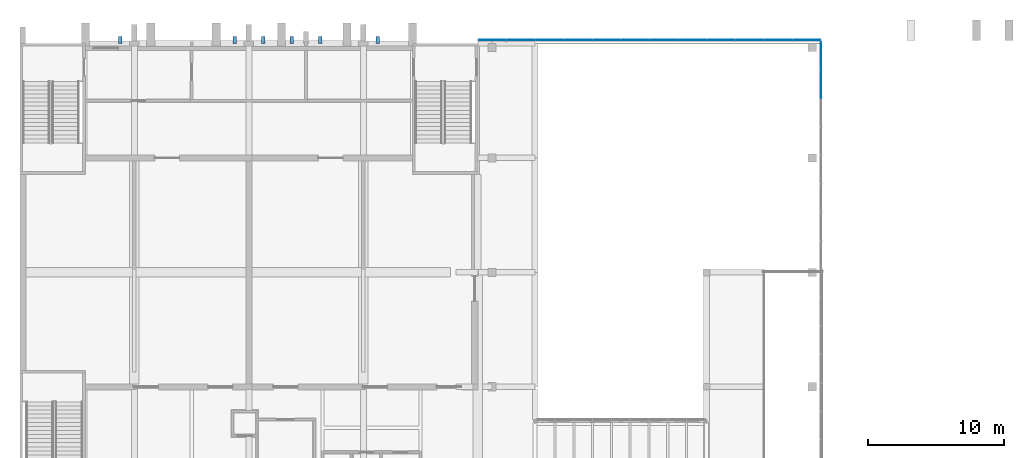
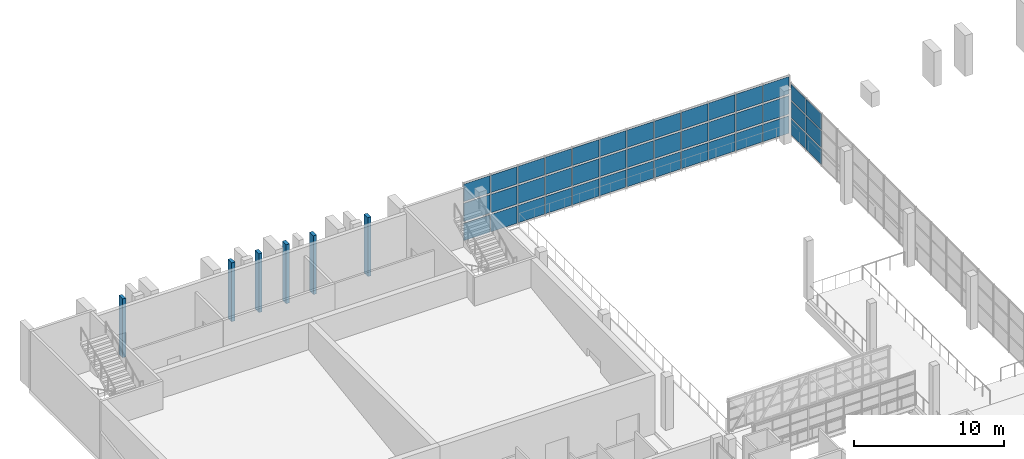
# One storey, part 35 of 67: 48 plates, 2 elements without a shape of their own.
"""IFC4 building model written with IfcOpenShell, lengths in metres."""

from ifc_helpers import new_model, si_unit, direction, frame, origin, origin_2d, place, context, subcontext, project, spatial, rectangle, extrude, material, layer, layer_set, type_object, element, aggregate, save


model = new_model("IFC4")

# Units and contexts
model_context = context("Model", 3, precision=1e-05, world=origin(), true_north=direction((0.0, 1.0)))
body_context = subcontext(model_context, "Body", "Model", "MODEL_VIEW")
ifc_project = project(units=[si_unit("LENGTHUNIT", "METRE"), si_unit("AREAUNIT", "SQUARE_METRE"), si_unit("VOLUMEUNIT", "CUBIC_METRE"), si_unit("PLANEANGLEUNIT", "RADIAN"), si_unit("MASSUNIT", "GRAM", prefix="KILO")], contexts=[model_context])

# Site, building, storey
site_placement = place(None, origin())
site = spatial("IfcSite", under=ifc_project, at=site_placement, CompositionType="ELEMENT")
building_placement = place(site_placement, origin())
building = spatial("IfcBuilding", under=site, at=building_placement, Name="Kiln Court Media Centre", CompositionType="ELEMENT")
storey_placement = place(building_placement, frame((0.0, 0.0, 19.800048828125)))
storey = spatial("IfcBuildingStorey", under=building, at=storey_placement, Name="L04", CompositionType="ELEMENT", Elevation=19.800048828125)

# Plates
ifc_material_1 = material(Name="Concrete C40/50", Category="concrete")
ifc_layer_1 = layer(ifc_material_1, 0.25)
ifc_layer_set_1 = layer_set([ifc_layer_1], Name="Concrete C40/50 shading fin 250")
plate_type_1 = type_object("IfcPlateType", Name="Concrete C40/50 shading fin 250", PredefinedType="SHEET", material=ifc_layer_set_1)
for number, where, z_axis, x_axis, name in (
    (1, (7.35009765625, 67.449951171875, 0.0), (0.0, 0.0, 1.0), (1.0, 0.0, 0.0), "V4 N fin L04"),
    (2, (15.75, 67.449951171875, 0.0), (0.0, 0.0, 1.0), (1.0, 0.0, 0.0), "V4 N fin L04"),
    (3, (17.85009765625, 67.449951171875, 0.0), (0.0, 0.0, 1.0), (1.0, 0.0, 0.0), "V4 N fin L04"),
    (4, (19.949951171875, 67.449951171875, 0.0), (0.0, 0.0, 1.0), (1.0, 0.0, 0.0), "V4 N fin L04"),
    (5, (22.050048828125, 67.449951171875, 0.0), (0.0, 0.0, 1.0), (1.0, 0.0, 0.0), "V4 N fin L04"),
    (6, (26.25, 67.449951171875, 0.0), (0.0, 0.0, 1.0), (1.0, 0.0, 0.0), "V4 N fin L04"),
):
    element("IfcPlate", number, at=place(storey_placement, frame(where, z_axis=z_axis, x_axis=x_axis)), inside=storey, type_object=plate_type_1, Name=name, PredefinedType="SHEET", context=body_context, shape_type="SweptSolid", body=[
        extrude(rectangle(XDim=0.25, YDim=0.5, at=origin_2d()), origin(), (0.0, 0.0, 1.0), 4.800048828125),
    ])

# Curtain wall, plates
ifc_material_2 = material(Name="Aluminium 6063-T6", Category="aluminium")
ifc_layer_2 = layer(ifc_material_2, 0.1201171875)
ifc_layer_set_2 = layer_set([ifc_layer_2], Name="Aluminium stick curtain wall, clerestory")
curtain_wall_type_1 = type_object("IfcCurtainWallType", Name="Aluminium stick curtain wall, clerestory", PredefinedType="USERDEFINED", material=ifc_layer_set_2)
curtain_wall_1_placement = place(storey_placement, origin())
curtain_wall_1 = element("IfcCurtainWall", 7, at=curtain_wall_1_placement, inside=storey, type_object=curtain_wall_type_1, Name="Foyer east clerestory", ObjectType="STICK CURTAIN WALL", PredefinedType="USERDEFINED")
ifc_material_3 = material(Name="Laminated low-E glazing", Category="glass")
ifc_layer_3 = layer(ifc_material_3, 0.031982421875)
ifc_layer_set_3 = layer_set([ifc_layer_3], Name="Laminated low-E glazed panel 32")
plate_type_2 = type_object("IfcPlateType", Name="Laminated low-E glazed panel 32", PredefinedType="CURTAIN_PANEL", material=ifc_layer_set_3)
plate_1_placement = place(storey_placement, frame((58.800048828125, 64.2138671875, 0.119873046875), z_axis=(0.0, 0.0, 1.0), x_axis=(0.0, 1.0, 0.0)))
plate_1 = element("IfcPlate", 8, at=plate_1_placement, type_object=plate_type_2, Name="CW4-63 panel 15.1", PredefinedType="CURTAIN_PANEL", context=body_context, shape_type="SweptSolid", body=[
    extrude(rectangle(XDim=2.027099609375, YDim=0.031982421875, at=origin_2d()), origin(), (0.0, 0.0, 1.0), 1.27001953125),
])
plate_2_placement = place(storey_placement, frame((58.800048828125, 64.2138671875, 1.510009765625), z_axis=(0.0, 0.0, 1.0), x_axis=(0.0, 1.0, 0.0)))
plate_2 = element("IfcPlate", 9, at=plate_2_placement, type_object=plate_type_2, Name="CW4-63 panel 15.2", PredefinedType="CURTAIN_PANEL", context=body_context, shape_type="SweptSolid", body=[
    extrude(rectangle(XDim=2.027099609375, YDim=0.031982421875, at=origin_2d()), origin(), (0.0, 0.0, 1.0), 1.330078125),
])
plate_3_placement = place(storey_placement, frame((58.800048828125, 64.2138671875, 2.9599609375), z_axis=(0.0, 0.0, 1.0), x_axis=(0.0, 1.0, 0.0)))
plate_3 = element("IfcPlate", 10, at=plate_3_placement, type_object=plate_type_2, Name="CW4-63 panel 15.3", PredefinedType="CURTAIN_PANEL", context=body_context, shape_type="SweptSolid", body=[
    extrude(rectangle(XDim=2.027099609375, YDim=0.031982421875, at=origin_2d()), origin(), (0.0, 0.0, 1.0), 1.27001953125),
])
plate_4_placement = place(storey_placement, frame((58.800048828125, 66.285888671875, 0.119873046875), z_axis=(0.0, 0.0, 1.0), x_axis=(0.0, 1.0, 0.0)))
plate_4 = element("IfcPlate", 11, at=plate_4_placement, type_object=plate_type_2, Name="CW4-63 panel 16.1", PredefinedType="CURTAIN_PANEL", context=body_context, shape_type="SweptSolid", body=[
    extrude(rectangle(XDim=1.9970703125, YDim=0.031982421875, at=origin_2d()), origin(), (0.0, 0.0, 1.0), 1.27001953125),
])
plate_5_placement = place(storey_placement, frame((58.800048828125, 66.285888671875, 1.510009765625), z_axis=(0.0, 0.0, 1.0), x_axis=(0.0, 1.0, 0.0)))
plate_5 = element("IfcPlate", 12, at=plate_5_placement, type_object=plate_type_2, Name="CW4-63 panel 16.2", PredefinedType="CURTAIN_PANEL", context=body_context, shape_type="SweptSolid", body=[
    extrude(rectangle(XDim=1.9970703125, YDim=0.031982421875, at=origin_2d()), origin(), (0.0, 0.0, 1.0), 1.330078125),
])
plate_6_placement = place(storey_placement, frame((58.800048828125, 66.285888671875, 2.9599609375), z_axis=(0.0, 0.0, 1.0), x_axis=(0.0, 1.0, 0.0)))
plate_6 = element("IfcPlate", 13, at=plate_6_placement, type_object=plate_type_2, Name="CW4-63 panel 16.3", PredefinedType="CURTAIN_PANEL", context=body_context, shape_type="SweptSolid", body=[
    extrude(rectangle(XDim=1.9970703125, YDim=0.031982421875, at=origin_2d()), origin(), (0.0, 0.0, 1.0), 1.27001953125),
])
aggregate(curtain_wall_1, [plate_1, plate_2, plate_3, plate_4, plate_5, plate_6])

ifc_material_4 = material(Name="Aluminium 6063-T6", Category="aluminium")
ifc_layer_4 = layer(ifc_material_4, 0.1201171875)
ifc_layer_set_4 = layer_set([ifc_layer_4], Name="Aluminium stick curtain wall, foyer")
curtain_wall_type_2 = type_object("IfcCurtainWallType", Name="Aluminium stick curtain wall, foyer", PredefinedType="USERDEFINED", material=ifc_layer_set_4)
curtain_wall_2_placement = place(storey_placement, origin())
curtain_wall_2 = element("IfcCurtainWall", 14, at=curtain_wall_2_placement, inside=storey, type_object=curtain_wall_type_2, Name="Foyer north glazing L04", ObjectType="STICK CURTAIN WALL", PredefinedType="USERDEFINED")
ifc_material_5 = material(Name="Laminated low-E glazing", Category="glass")
ifc_layer_5 = layer(ifc_material_5, 0.035888671875)
ifc_layer_set_5 = layer_set([ifc_layer_5], Name="Laminated low-E glazed panel 36")
plate_type_3 = type_object("IfcPlateType", Name="Laminated low-E glazed panel 36", PredefinedType="CURTAIN_PANEL", material=ifc_layer_set_5)
plate_7_placement = place(storey_placement, frame((34.6650390625, 67.444580078125, 0.14990234375), z_axis=(0.0, 0.0, 1.0), x_axis=(1.0, 0.0, 0.0)))
plate_7 = element("IfcPlate", 15, at=plate_7_placement, type_object=plate_type_3, Name="CW4-60 panel 1.1", PredefinedType="CURTAIN_PANEL", context=body_context, shape_type="SweptSolid", body=[
    extrude(rectangle(XDim=2.010009765625, YDim=0.035888671875, at=origin_2d()), origin(), (0.0, 0.0, 1.0), 1.4111328125),
])
plate_8_placement = place(storey_placement, frame((34.6650390625, 67.444580078125, 1.7109375), z_axis=(0.0, 0.0, 1.0), x_axis=(1.0, 0.0, 0.0)))
plate_8 = element("IfcPlate", 16, at=plate_8_placement, type_object=plate_type_3, Name="CW4-60 panel 1.2", PredefinedType="CURTAIN_PANEL", context=body_context, shape_type="SweptSolid", body=[
    extrude(rectangle(XDim=2.010009765625, YDim=0.035888671875, at=origin_2d()), origin(), (0.0, 0.0, 1.0), 1.486083984375),
])
plate_9_placement = place(storey_placement, frame((34.6650390625, 67.444580078125, 3.34716796875), z_axis=(0.0, 0.0, 1.0), x_axis=(1.0, 0.0, 0.0)))
plate_9 = element("IfcPlate", 17, at=plate_9_placement, type_object=plate_type_3, Name="CW4-60 panel 1.3", PredefinedType="CURTAIN_PANEL", context=body_context, shape_type="SweptSolid", body=[
    extrude(rectangle(XDim=2.010009765625, YDim=0.035888671875, at=origin_2d()), origin(), (0.0, 0.0, 1.0), 1.4111328125),
])
plate_10_placement = place(storey_placement, frame((36.75, 67.444580078125, 0.14990234375), z_axis=(0.0, 0.0, 1.0), x_axis=(1.0, 0.0, 0.0)))
plate_10 = element("IfcPlate", 18, at=plate_10_placement, type_object=plate_type_3, Name="CW4-60 panel 2.1", PredefinedType="CURTAIN_PANEL", context=body_context, shape_type="SweptSolid", body=[
    extrude(rectangle(XDim=2.0400390625, YDim=0.035888671875, at=origin_2d()), origin(), (0.0, 0.0, 1.0), 1.4111328125),
])
plate_11_placement = place(storey_placement, frame((36.75, 67.444580078125, 1.7109375), z_axis=(0.0, 0.0, 1.0), x_axis=(1.0, 0.0, 0.0)))
plate_11 = element("IfcPlate", 19, at=plate_11_placement, type_object=plate_type_3, Name="CW4-60 panel 2.2", PredefinedType="CURTAIN_PANEL", context=body_context, shape_type="SweptSolid", body=[
    extrude(rectangle(XDim=2.0400390625, YDim=0.035888671875, at=origin_2d()), origin(), (0.0, 0.0, 1.0), 1.486083984375),
])
plate_12_placement = place(storey_placement, frame((36.75, 67.444580078125, 3.34716796875), z_axis=(0.0, 0.0, 1.0), x_axis=(1.0, 0.0, 0.0)))
plate_12 = element("IfcPlate", 20, at=plate_12_placement, type_object=plate_type_3, Name="CW4-60 panel 2.3", PredefinedType="CURTAIN_PANEL", context=body_context, shape_type="SweptSolid", body=[
    extrude(rectangle(XDim=2.0400390625, YDim=0.035888671875, at=origin_2d()), origin(), (0.0, 0.0, 1.0), 1.4111328125),
])
plate_13_placement = place(storey_placement, frame((38.85009765625, 67.444580078125, 0.14990234375), z_axis=(0.0, 0.0, 1.0), x_axis=(1.0, 0.0, 0.0)))
plate_13 = element("IfcPlate", 21, at=plate_13_placement, type_object=plate_type_3, Name="CW4-60 panel 3.1", PredefinedType="CURTAIN_PANEL", context=body_context, shape_type="SweptSolid", body=[
    extrude(rectangle(XDim=2.0400390625, YDim=0.035888671875, at=origin_2d()), origin(), (0.0, 0.0, 1.0), 1.4111328125),
])
plate_14_placement = place(storey_placement, frame((38.85009765625, 67.444580078125, 1.7109375), z_axis=(0.0, 0.0, 1.0), x_axis=(1.0, 0.0, 0.0)))
plate_14 = element("IfcPlate", 22, at=plate_14_placement, type_object=plate_type_3, Name="CW4-60 panel 3.2", PredefinedType="CURTAIN_PANEL", context=body_context, shape_type="SweptSolid", body=[
    extrude(rectangle(XDim=2.0400390625, YDim=0.035888671875, at=origin_2d()), origin(), (0.0, 0.0, 1.0), 1.486083984375),
])
plate_15_placement = place(storey_placement, frame((38.85009765625, 67.444580078125, 3.34716796875), z_axis=(0.0, 0.0, 1.0), x_axis=(1.0, 0.0, 0.0)))
plate_15 = element("IfcPlate", 23, at=plate_15_placement, type_object=plate_type_3, Name="CW4-60 panel 3.3", PredefinedType="CURTAIN_PANEL", context=body_context, shape_type="SweptSolid", body=[
    extrude(rectangle(XDim=2.0400390625, YDim=0.035888671875, at=origin_2d()), origin(), (0.0, 0.0, 1.0), 1.4111328125),
])
plate_16_placement = place(storey_placement, frame((40.949951171875, 67.444580078125, 0.14990234375), z_axis=(0.0, 0.0, 1.0), x_axis=(1.0, 0.0, 0.0)))
plate_16 = element("IfcPlate", 24, at=plate_16_placement, type_object=plate_type_3, Name="CW4-60 panel 4.1", PredefinedType="CURTAIN_PANEL", context=body_context, shape_type="SweptSolid", body=[
    extrude(rectangle(XDim=2.0400390625, YDim=0.035888671875, at=origin_2d()), origin(), (0.0, 0.0, 1.0), 1.4111328125),
])
plate_17_placement = place(storey_placement, frame((40.949951171875, 67.444580078125, 1.7109375), z_axis=(0.0, 0.0, 1.0), x_axis=(1.0, 0.0, 0.0)))
plate_17 = element("IfcPlate", 25, at=plate_17_placement, type_object=plate_type_3, Name="CW4-60 panel 4.2", PredefinedType="CURTAIN_PANEL", context=body_context, shape_type="SweptSolid", body=[
    extrude(rectangle(XDim=2.0400390625, YDim=0.035888671875, at=origin_2d()), origin(), (0.0, 0.0, 1.0), 1.486083984375),
])
plate_18_placement = place(storey_placement, frame((40.949951171875, 67.444580078125, 3.34716796875), z_axis=(0.0, 0.0, 1.0), x_axis=(1.0, 0.0, 0.0)))
plate_18 = element("IfcPlate", 26, at=plate_18_placement, type_object=plate_type_3, Name="CW4-60 panel 4.3", PredefinedType="CURTAIN_PANEL", context=body_context, shape_type="SweptSolid", body=[
    extrude(rectangle(XDim=2.0400390625, YDim=0.035888671875, at=origin_2d()), origin(), (0.0, 0.0, 1.0), 1.4111328125),
])
plate_19_placement = place(storey_placement, frame((43.050048828125, 67.444580078125, 0.14990234375), z_axis=(0.0, 0.0, 1.0), x_axis=(1.0, 0.0, 0.0)))
plate_19 = element("IfcPlate", 27, at=plate_19_placement, type_object=plate_type_3, Name="CW4-60 panel 5.1", PredefinedType="CURTAIN_PANEL", context=body_context, shape_type="SweptSolid", body=[
    extrude(rectangle(XDim=2.0400390625, YDim=0.035888671875, at=origin_2d()), origin(), (0.0, 0.0, 1.0), 1.4111328125),
])
plate_20_placement = place(storey_placement, frame((43.050048828125, 67.444580078125, 1.7109375), z_axis=(0.0, 0.0, 1.0), x_axis=(1.0, 0.0, 0.0)))
plate_20 = element("IfcPlate", 28, at=plate_20_placement, type_object=plate_type_3, Name="CW4-60 panel 5.2", PredefinedType="CURTAIN_PANEL", context=body_context, shape_type="SweptSolid", body=[
    extrude(rectangle(XDim=2.0400390625, YDim=0.035888671875, at=origin_2d()), origin(), (0.0, 0.0, 1.0), 1.486083984375),
])
plate_21_placement = place(storey_placement, frame((43.050048828125, 67.444580078125, 3.34716796875), z_axis=(0.0, 0.0, 1.0), x_axis=(1.0, 0.0, 0.0)))
plate_21 = element("IfcPlate", 29, at=plate_21_placement, type_object=plate_type_3, Name="CW4-60 panel 5.3", PredefinedType="CURTAIN_PANEL", context=body_context, shape_type="SweptSolid", body=[
    extrude(rectangle(XDim=2.0400390625, YDim=0.035888671875, at=origin_2d()), origin(), (0.0, 0.0, 1.0), 1.4111328125),
])
plate_22_placement = place(storey_placement, frame((45.14990234375, 67.444580078125, 0.14990234375), z_axis=(0.0, 0.0, 1.0), x_axis=(1.0, 0.0, 0.0)))
plate_22 = element("IfcPlate", 30, at=plate_22_placement, type_object=plate_type_3, Name="CW4-60 panel 6.1", PredefinedType="CURTAIN_PANEL", context=body_context, shape_type="SweptSolid", body=[
    extrude(rectangle(XDim=2.0400390625, YDim=0.035888671875, at=origin_2d()), origin(), (0.0, 0.0, 1.0), 1.4111328125),
])
plate_23_placement = place(storey_placement, frame((45.14990234375, 67.444580078125, 1.7109375), z_axis=(0.0, 0.0, 1.0), x_axis=(1.0, 0.0, 0.0)))
plate_23 = element("IfcPlate", 31, at=plate_23_placement, type_object=plate_type_3, Name="CW4-60 panel 6.2", PredefinedType="CURTAIN_PANEL", context=body_context, shape_type="SweptSolid", body=[
    extrude(rectangle(XDim=2.0400390625, YDim=0.035888671875, at=origin_2d()), origin(), (0.0, 0.0, 1.0), 1.486083984375),
])
plate_24_placement = place(storey_placement, frame((45.14990234375, 67.444580078125, 3.34716796875), z_axis=(0.0, 0.0, 1.0), x_axis=(1.0, 0.0, 0.0)))
plate_24 = element("IfcPlate", 32, at=plate_24_placement, type_object=plate_type_3, Name="CW4-60 panel 6.3", PredefinedType="CURTAIN_PANEL", context=body_context, shape_type="SweptSolid", body=[
    extrude(rectangle(XDim=2.0400390625, YDim=0.035888671875, at=origin_2d()), origin(), (0.0, 0.0, 1.0), 1.4111328125),
])
plate_25_placement = place(storey_placement, frame((47.25, 67.444580078125, 0.14990234375), z_axis=(0.0, 0.0, 1.0), x_axis=(1.0, 0.0, 0.0)))
plate_25 = element("IfcPlate", 33, at=plate_25_placement, type_object=plate_type_3, Name="CW4-60 panel 7.1", PredefinedType="CURTAIN_PANEL", context=body_context, shape_type="SweptSolid", body=[
    extrude(rectangle(XDim=2.0400390625, YDim=0.035888671875, at=origin_2d()), origin(), (0.0, 0.0, 1.0), 1.4111328125),
])
plate_26_placement = place(storey_placement, frame((47.25, 67.444580078125, 1.7109375), z_axis=(0.0, 0.0, 1.0), x_axis=(1.0, 0.0, 0.0)))
plate_26 = element("IfcPlate", 34, at=plate_26_placement, type_object=plate_type_3, Name="CW4-60 panel 7.2", PredefinedType="CURTAIN_PANEL", context=body_context, shape_type="SweptSolid", body=[
    extrude(rectangle(XDim=2.0400390625, YDim=0.035888671875, at=origin_2d()), origin(), (0.0, 0.0, 1.0), 1.486083984375),
])
plate_27_placement = place(storey_placement, frame((47.25, 67.444580078125, 3.34716796875), z_axis=(0.0, 0.0, 1.0), x_axis=(1.0, 0.0, 0.0)))
plate_27 = element("IfcPlate", 35, at=plate_27_placement, type_object=plate_type_3, Name="CW4-60 panel 7.3", PredefinedType="CURTAIN_PANEL", context=body_context, shape_type="SweptSolid", body=[
    extrude(rectangle(XDim=2.0400390625, YDim=0.035888671875, at=origin_2d()), origin(), (0.0, 0.0, 1.0), 1.4111328125),
])
plate_28_placement = place(storey_placement, frame((49.35009765625, 67.444580078125, 0.14990234375), z_axis=(0.0, 0.0, 1.0), x_axis=(1.0, 0.0, 0.0)))
plate_28 = element("IfcPlate", 36, at=plate_28_placement, type_object=plate_type_3, Name="CW4-60 panel 8.1", PredefinedType="CURTAIN_PANEL", context=body_context, shape_type="SweptSolid", body=[
    extrude(rectangle(XDim=2.0400390625, YDim=0.035888671875, at=origin_2d()), origin(), (0.0, 0.0, 1.0), 1.4111328125),
])
plate_29_placement = place(storey_placement, frame((49.35009765625, 67.444580078125, 1.7109375), z_axis=(0.0, 0.0, 1.0), x_axis=(1.0, 0.0, 0.0)))
plate_29 = element("IfcPlate", 37, at=plate_29_placement, type_object=plate_type_3, Name="CW4-60 panel 8.2", PredefinedType="CURTAIN_PANEL", context=body_context, shape_type="SweptSolid", body=[
    extrude(rectangle(XDim=2.0400390625, YDim=0.035888671875, at=origin_2d()), origin(), (0.0, 0.0, 1.0), 1.486083984375),
])
plate_30_placement = place(storey_placement, frame((49.35009765625, 67.444580078125, 3.34716796875), z_axis=(0.0, 0.0, 1.0), x_axis=(1.0, 0.0, 0.0)))
plate_30 = element("IfcPlate", 38, at=plate_30_placement, type_object=plate_type_3, Name="CW4-60 panel 8.3", PredefinedType="CURTAIN_PANEL", context=body_context, shape_type="SweptSolid", body=[
    extrude(rectangle(XDim=2.0400390625, YDim=0.035888671875, at=origin_2d()), origin(), (0.0, 0.0, 1.0), 1.4111328125),
])
plate_31_placement = place(storey_placement, frame((51.449951171875, 67.444580078125, 0.14990234375), z_axis=(0.0, 0.0, 1.0), x_axis=(1.0, 0.0, 0.0)))
plate_31 = element("IfcPlate", 39, at=plate_31_placement, type_object=plate_type_3, Name="CW4-60 panel 9.1", PredefinedType="CURTAIN_PANEL", context=body_context, shape_type="SweptSolid", body=[
    extrude(rectangle(XDim=2.0400390625, YDim=0.035888671875, at=origin_2d()), origin(), (0.0, 0.0, 1.0), 1.4111328125),
])
plate_32_placement = place(storey_placement, frame((51.449951171875, 67.444580078125, 1.7109375), z_axis=(0.0, 0.0, 1.0), x_axis=(1.0, 0.0, 0.0)))
plate_32 = element("IfcPlate", 40, at=plate_32_placement, type_object=plate_type_3, Name="CW4-60 panel 9.2", PredefinedType="CURTAIN_PANEL", context=body_context, shape_type="SweptSolid", body=[
    extrude(rectangle(XDim=2.0400390625, YDim=0.035888671875, at=origin_2d()), origin(), (0.0, 0.0, 1.0), 1.486083984375),
])
plate_33_placement = place(storey_placement, frame((51.449951171875, 67.444580078125, 3.34716796875), z_axis=(0.0, 0.0, 1.0), x_axis=(1.0, 0.0, 0.0)))
plate_33 = element("IfcPlate", 41, at=plate_33_placement, type_object=plate_type_3, Name="CW4-60 panel 9.3", PredefinedType="CURTAIN_PANEL", context=body_context, shape_type="SweptSolid", body=[
    extrude(rectangle(XDim=2.0400390625, YDim=0.035888671875, at=origin_2d()), origin(), (0.0, 0.0, 1.0), 1.4111328125),
])
plate_34_placement = place(storey_placement, frame((53.550048828125, 67.444580078125, 0.14990234375), z_axis=(0.0, 0.0, 1.0), x_axis=(1.0, 0.0, 0.0)))
plate_34 = element("IfcPlate", 42, at=plate_34_placement, type_object=plate_type_3, Name="CW4-60 panel 10.1", PredefinedType="CURTAIN_PANEL", context=body_context, shape_type="SweptSolid", body=[
    extrude(rectangle(XDim=2.0400390625, YDim=0.035888671875, at=origin_2d()), origin(), (0.0, 0.0, 1.0), 1.4111328125),
])
plate_35_placement = place(storey_placement, frame((53.550048828125, 67.444580078125, 1.7109375), z_axis=(0.0, 0.0, 1.0), x_axis=(1.0, 0.0, 0.0)))
plate_35 = element("IfcPlate", 43, at=plate_35_placement, type_object=plate_type_3, Name="CW4-60 panel 10.2", PredefinedType="CURTAIN_PANEL", context=body_context, shape_type="SweptSolid", body=[
    extrude(rectangle(XDim=2.0400390625, YDim=0.035888671875, at=origin_2d()), origin(), (0.0, 0.0, 1.0), 1.486083984375),
])
plate_36_placement = place(storey_placement, frame((53.550048828125, 67.444580078125, 3.34716796875), z_axis=(0.0, 0.0, 1.0), x_axis=(1.0, 0.0, 0.0)))
plate_36 = element("IfcPlate", 44, at=plate_36_placement, type_object=plate_type_3, Name="CW4-60 panel 10.3", PredefinedType="CURTAIN_PANEL", context=body_context, shape_type="SweptSolid", body=[
    extrude(rectangle(XDim=2.0400390625, YDim=0.035888671875, at=origin_2d()), origin(), (0.0, 0.0, 1.0), 1.4111328125),
])
plate_37_placement = place(storey_placement, frame((55.64990234375, 67.444580078125, 0.14990234375), z_axis=(0.0, 0.0, 1.0), x_axis=(1.0, 0.0, 0.0)))
plate_37 = element("IfcPlate", 45, at=plate_37_placement, type_object=plate_type_3, Name="CW4-60 panel 11.1", PredefinedType="CURTAIN_PANEL", context=body_context, shape_type="SweptSolid", body=[
    extrude(rectangle(XDim=2.0400390625, YDim=0.035888671875, at=origin_2d()), origin(), (0.0, 0.0, 1.0), 1.4111328125),
])
plate_38_placement = place(storey_placement, frame((55.64990234375, 67.444580078125, 1.7109375), z_axis=(0.0, 0.0, 1.0), x_axis=(1.0, 0.0, 0.0)))
plate_38 = element("IfcPlate", 46, at=plate_38_placement, type_object=plate_type_3, Name="CW4-60 panel 11.2", PredefinedType="CURTAIN_PANEL", context=body_context, shape_type="SweptSolid", body=[
    extrude(rectangle(XDim=2.0400390625, YDim=0.035888671875, at=origin_2d()), origin(), (0.0, 0.0, 1.0), 1.486083984375),
])
plate_39_placement = place(storey_placement, frame((55.64990234375, 67.444580078125, 3.34716796875), z_axis=(0.0, 0.0, 1.0), x_axis=(1.0, 0.0, 0.0)))
plate_39 = element("IfcPlate", 47, at=plate_39_placement, type_object=plate_type_3, Name="CW4-60 panel 11.3", PredefinedType="CURTAIN_PANEL", context=body_context, shape_type="SweptSolid", body=[
    extrude(rectangle(XDim=2.0400390625, YDim=0.035888671875, at=origin_2d()), origin(), (0.0, 0.0, 1.0), 1.4111328125),
])
plate_40_placement = place(storey_placement, frame((57.735107421875, 67.444580078125, 0.14990234375), z_axis=(0.0, 0.0, 1.0), x_axis=(1.0, 0.0, 0.0)))
plate_40 = element("IfcPlate", 48, at=plate_40_placement, type_object=plate_type_3, Name="CW4-60 panel 12.1", PredefinedType="CURTAIN_PANEL", context=body_context, shape_type="SweptSolid", body=[
    extrude(rectangle(XDim=2.010009765625, YDim=0.035888671875, at=origin_2d()), origin(), (0.0, 0.0, 1.0), 1.4111328125),
])
plate_41_placement = place(storey_placement, frame((57.735107421875, 67.444580078125, 1.7109375), z_axis=(0.0, 0.0, 1.0), x_axis=(1.0, 0.0, 0.0)))
plate_41 = element("IfcPlate", 49, at=plate_41_placement, type_object=plate_type_3, Name="CW4-60 panel 12.2", PredefinedType="CURTAIN_PANEL", context=body_context, shape_type="SweptSolid", body=[
    extrude(rectangle(XDim=2.010009765625, YDim=0.035888671875, at=origin_2d()), origin(), (0.0, 0.0, 1.0), 1.486083984375),
])
plate_42_placement = place(storey_placement, frame((57.735107421875, 67.444580078125, 3.34716796875), z_axis=(0.0, 0.0, 1.0), x_axis=(1.0, 0.0, 0.0)))
plate_42 = element("IfcPlate", 50, at=plate_42_placement, type_object=plate_type_3, Name="CW4-60 panel 12.3", PredefinedType="CURTAIN_PANEL", context=body_context, shape_type="SweptSolid", body=[
    extrude(rectangle(XDim=2.010009765625, YDim=0.035888671875, at=origin_2d()), origin(), (0.0, 0.0, 1.0), 1.4111328125),
])
aggregate(curtain_wall_2, [plate_7, plate_8, plate_9, plate_10, plate_11, plate_12, plate_13, plate_14, plate_15, plate_16, plate_17, plate_18, plate_19, plate_20, plate_21, plate_22, plate_23, plate_24, plate_25, plate_26, plate_27, plate_28, plate_29, plate_30, plate_31, plate_32, plate_33, plate_34, plate_35, plate_36, plate_37, plate_38, plate_39, plate_40, plate_41, plate_42])

save(model, "model.ifc")
